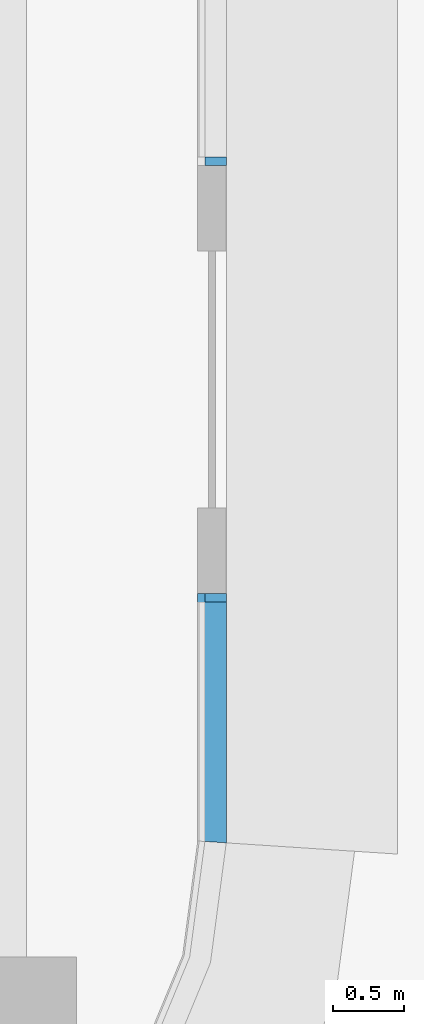
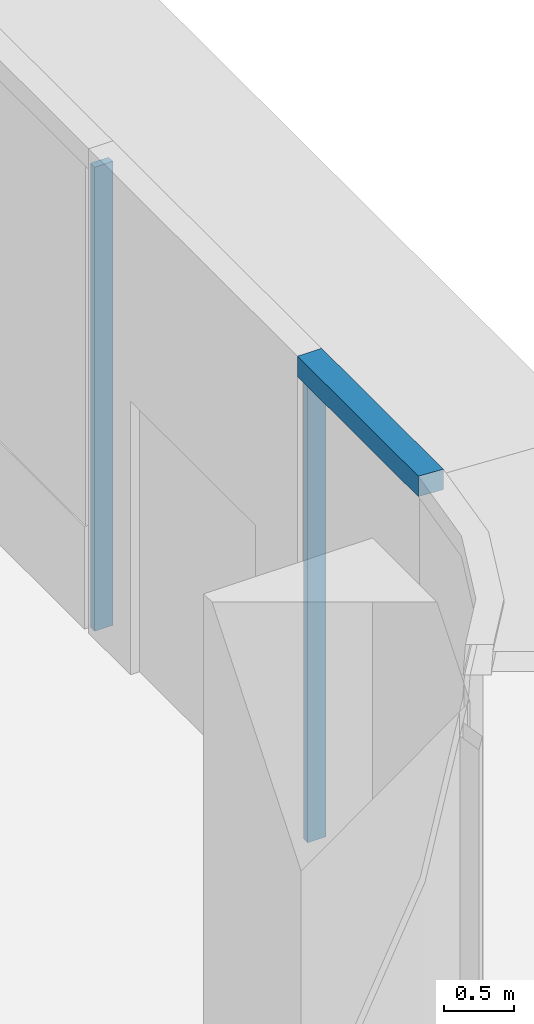
# One storey, part 13 of 22: 3 members, 2 elements without a shape of their own.
"""IFC4 building model written with IfcOpenShell, lengths in metres."""

from ifc_helpers import new_model, si_unit, direction, frame, origin, origin_2d, place, context, subcontext, project, spatial, polyline, rectangle, outline, extrude, source, transform, mapped, material, layer, layer_set, material_profile, profile_set, type_object, element, aggregate, save


model = new_model("IFC4")

# Units and contexts
model_context = context("Model", 3, precision=1e-05, world=origin(), true_north=direction((0.0, 1.0)))
body_context = subcontext(model_context, "Body", "Model", "MODEL_VIEW")
ifc_project = project(units=[si_unit("LENGTHUNIT", "METRE"), si_unit("AREAUNIT", "SQUARE_METRE"), si_unit("VOLUMEUNIT", "CUBIC_METRE"), si_unit("PLANEANGLEUNIT", "RADIAN"), si_unit("MASSUNIT", "GRAM", prefix="KILO")], contexts=[model_context])

# Site, building, storey
site_placement = place(None, origin())
site = spatial("IfcSite", under=ifc_project, at=site_placement, CompositionType="ELEMENT")
building_placement = place(site_placement, origin())
building = spatial("IfcBuilding", under=site, at=building_placement, Name="Trellis Farm Tower", CompositionType="ELEMENT")
storey_placement = place(building_placement, frame((0.0, 0.0, 79.0)))
storey = spatial("IfcBuildingStorey", under=building, at=storey_placement, Name="L16", CompositionType="ELEMENT", Elevation=79.0)

# Curtain wall, member
ifc_material_1 = material(Name="Aluminium and glass curtain wall", Category="aluminium")
ifc_layer_1 = layer(ifc_material_1, 0.18994140625)
ifc_layer_set_1 = layer_set([ifc_layer_1], Name="RIBBON CURTAIN WALL CW1")
curtain_wall_type = type_object("IfcCurtainWallType", Name="RIBBON CURTAIN WALL CW1", PredefinedType="NOTDEFINED", material=ifc_layer_set_1)
placement = place(storey_placement, origin())
curtain_wall_1 = element("IfcCurtainWall", 1, at=placement, inside=storey, type_object=curtain_wall_type, Name="CW1 006", PredefinedType="NOTDEFINED")
ifc_material_2 = material(Name="Aluminium extrusion 6063-T6", Category="aluminium")
ifc_material_profile = material_profile(ifc_material_2, rectangle(XDim=0.06005859375, YDim=0.14990234375, at=origin_2d()), Name="MULLION 60x150")
ifc_profile_set = profile_set([ifc_material_profile], Name="Aluminium extrusion 6063-T6")
member_type_1 = type_object("IfcMemberType", Name="CW1 MULLION 60x150", PredefinedType="MULLION", material=ifc_profile_set)
shared_shape_1 = source(origin(), body_context, "Body", "SweptSolid", [
    extrude(rectangle(XDim=0.06005859375, YDim=0.14990234375, at=origin_2d()), origin(), (0.0, 0.0, 1.0), 4.070068359375),
])
member_1_placement = place(storey_placement, frame((32.425048828125, -1.530029296875, 0.0), z_axis=(0.0, 0.0, 1.0), x_axis=(0.0, 1.0, 0.0)))
member_1 = element("IfcMember", 2, at=member_1_placement, type_object=member_type_1, Name="MU1 006-01", PredefinedType="MULLION", context=body_context, shape_type="MappedRepresentation", body=[
    mapped(shared_shape_1, transform((0.0, 0.0, 0.0))),
])

curtain_wall_2 = element("IfcCurtainWall", 3, at=placement, inside=storey, type_object=curtain_wall_type, Name="CW1 007", PredefinedType="NOTDEFINED")
member_2_placement = place(storey_placement, frame((32.425048828125, 1.530029296875, 0.0), z_axis=(0.0, 0.0, 1.0), x_axis=(0.0, 1.0, 0.0)))
member_2 = element("IfcMember", 4, at=member_2_placement, type_object=member_type_1, Name="MU1 007-01", PredefinedType="MULLION", context=body_context, shape_type="MappedRepresentation", body=[
    mapped(shared_shape_1, transform((0.0, 0.0, 0.0))),
])
aggregate(curtain_wall_2, [member_2])

# Member
ifc_layer_2 = layer(ifc_material_2, 0.199951171875)
ifc_layer_set_2 = layer_set([ifc_layer_2], Name="Aluminium extrusion 6063-T6")
member_type_2 = type_object("IfcMemberType", Name="CW1 TRANSOM 200x180", PredefinedType="USERDEFINED", material=ifc_layer_set_2)
shared_shape_2 = source(origin(), body_context, "Body", "SweptSolid", [
    extrude(outline(polyline([(32.5, -3.25), (32.5, -1.5), (32.300048828125, -1.5), (32.300048828125, -3.23681640625), (32.5, -3.25)])), origin(), (0.0, 0.0, 1.0), 0.179931640625),
])
member_3_placement = place(storey_placement, frame((0.0, 0.0, 4.070068359375)))
member_3 = element("IfcMember", 5, at=member_3_placement, type_object=member_type_2, Name="TR1 006", ObjectType="TRANSOM", PredefinedType="USERDEFINED", context=body_context, shape_type="MappedRepresentation", body=[
    mapped(shared_shape_2, transform((0.0, 0.0, 0.0))),
])

aggregate(curtain_wall_1, [member_1, member_3])

save(model, "model.ifc")
